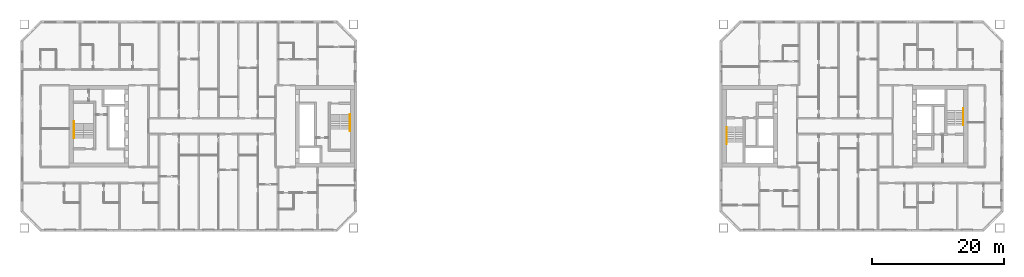
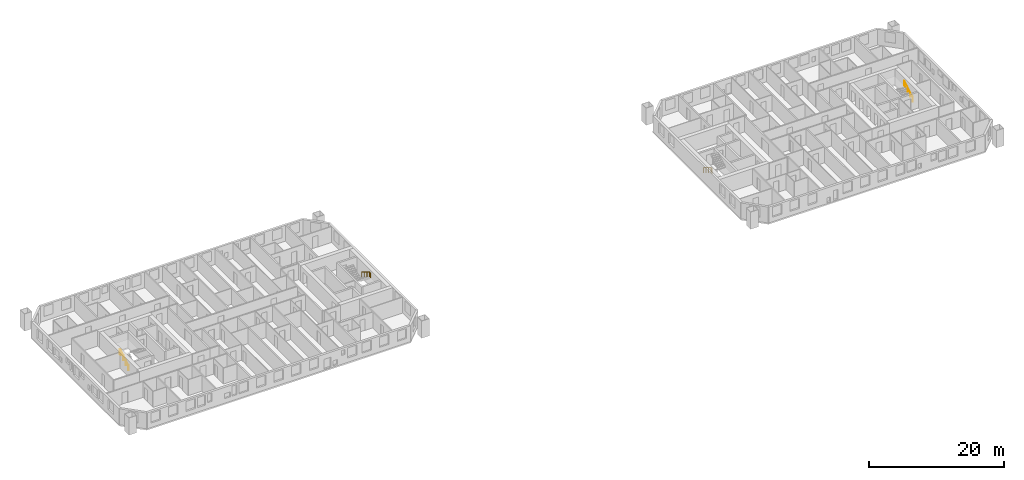
# One storey, part 17 of 17: 4 railings.
"""IFC4 building model written with IfcOpenShell, lengths in metres."""

from ifc_helpers import new_model, si_unit, direction, frame, origin, origin_2d, place, context, subcontext, project, spatial, circle, extrude, material, type_object, element, save


model = new_model("IFC4")

# Units and contexts
model_context = context("Model", 3, precision=1e-05, world=origin(), true_north=direction((0.0, 1.0)))
body_context = subcontext(model_context, "Body", "Model", "MODEL_VIEW")
ifc_project = project(units=[si_unit("LENGTHUNIT", "METRE"), si_unit("AREAUNIT", "SQUARE_METRE"), si_unit("VOLUMEUNIT", "CUBIC_METRE"), si_unit("PLANEANGLEUNIT", "RADIAN"), si_unit("MASSUNIT", "GRAM", prefix="KILO")], contexts=[model_context])

# Site, building, storey
site_placement = place(None, origin())
site = spatial("IfcSite", under=ifc_project, at=site_placement, CompositionType="ELEMENT")
building_placement = place(site_placement, origin())
building = spatial("IfcBuilding", under=site, at=building_placement, Name="Tuart Gate Housing", CompositionType="ELEMENT")
storey_placement = place(building_placement, frame((0.0, 0.0, 105.699951171875)))
storey = spatial("IfcBuildingStorey", under=building, at=storey_placement, Name="L29", CompositionType="ELEMENT", Elevation=105.699951171875)

# Railings
ifc_material = material(Name="Stainless steel", Category="steel")
railing_type = type_object("IfcRailingType", Name="Stair handrail 900", PredefinedType="HANDRAIL", material=ifc_material)
railing_1_placement = place(storey_placement, frame((74.929931640625, 71.800048828125, 0.17236328125)))
element("IfcRailing", 1, at=railing_1_placement, inside=storey, type_object=railing_type, Name="Stair handrail SA1.1", PredefinedType="HANDRAIL", context=body_context, shape_type="SweptSolid", body=[
    extrude(circle(Radius=0.02392578125, at=origin_2d()), frame((0.0, 0.0, 0.8759765625), z_axis=(0.0, -0.85178898068, 0.523885037382), x_axis=(1.0, 0.0, 0.0)), (0.0, 0.0, 1.0), 2.629638671875),
    extrude(circle(Radius=0.02392578125, at=origin_2d()), frame((0.0, -2.239990234375, 2.25341796875), z_axis=(0.0, -1.0, 0.0), x_axis=(1.0, 0.0, 0.0)), (0.0, 0.0, 1.0), 0.300048828125),
    extrude(circle(Radius=0.02099609375, at=origin_2d()), origin(), (0.0, 0.0, 1.0), 0.851806640625),
    extrude(circle(Radius=0.02099609375, at=origin_2d()), frame((0.0, -0.74658203125, 0.459228515625)), (0.0, 0.0, 1.0), 0.851806640625),
    extrude(circle(Radius=0.02099609375, at=origin_2d()), frame((0.0, -1.493408203125, 0.91845703125)), (0.0, 0.0, 1.0), 0.851806640625),
    extrude(circle(Radius=0.02099609375, at=origin_2d()), frame((0.0, -2.239990234375, 1.377685546875)), (0.0, 0.0, 1.0), 0.851806640625),
    extrude(circle(Radius=0.02099609375, at=origin_2d()), frame((0.0, -2.5400390625, 1.377685546875)), (0.0, 0.0, 1.0), 0.851806640625),
])
railing_2_placement = place(storey_placement, frame((33.070068359375, 68.199951171875, 0.17236328125)))
element("IfcRailing", 2, at=railing_2_placement, inside=storey, type_object=railing_type, Name="Stair handrail SA2.1", PredefinedType="HANDRAIL", context=body_context, shape_type="SweptSolid", body=[
    extrude(circle(Radius=0.02392578125, at=origin_2d()), frame((0.0, 0.0, 0.8759765625), z_axis=(0.0, 0.85178898068, 0.523885037382), x_axis=(-1.0, 0.0, 0.0)), (0.0, 0.0, 1.0), 2.629638671875),
    extrude(circle(Radius=0.02392578125, at=origin_2d()), frame((0.0, 2.239990234375, 2.25341796875), z_axis=(0.0, 1.0, 0.0), x_axis=(-1.0, 0.0, 0.0)), (0.0, 0.0, 1.0), 0.300048828125),
    extrude(circle(Radius=0.02099609375, at=origin_2d()), origin(), (0.0, 0.0, 1.0), 0.851806640625),
    extrude(circle(Radius=0.02099609375, at=origin_2d()), frame((0.0, 0.74658203125, 0.459228515625)), (0.0, 0.0, 1.0), 0.851806640625),
    extrude(circle(Radius=0.02099609375, at=origin_2d()), frame((0.0, 1.493408203125, 0.91845703125)), (0.0, 0.0, 1.0), 0.851806640625),
    extrude(circle(Radius=0.02099609375, at=origin_2d()), frame((0.0, 2.239990234375, 1.377685546875)), (0.0, 0.0, 1.0), 0.851806640625),
    extrude(circle(Radius=0.02099609375, at=origin_2d()), frame((0.0, 2.5400390625, 1.377685546875)), (0.0, 0.0, 1.0), 0.851806640625),
])
railing_3_placement = place(storey_placement, frame((132.070068359375, 69.85009765625, 0.17236328125)))
element("IfcRailing", 3, at=railing_3_placement, inside=storey, type_object=railing_type, Name="Stair handrail SB1.1", PredefinedType="HANDRAIL", context=body_context, shape_type="SweptSolid", body=[
    extrude(circle(Radius=0.02392578125, at=origin_2d()), frame((0.0, 0.0, 0.8759765625), z_axis=(0.0, -0.85178898068, 0.523885037382), x_axis=(1.0, 0.0, 0.0)), (0.0, 0.0, 1.0), 2.629638671875),
    extrude(circle(Radius=0.02392578125, at=origin_2d()), frame((0.0, -2.239990234375, 2.25341796875), z_axis=(0.0, -1.0, 0.0), x_axis=(1.0, 0.0, 0.0)), (0.0, 0.0, 1.0), 0.300048828125),
    extrude(circle(Radius=0.02099609375, at=origin_2d()), origin(), (0.0, 0.0, 1.0), 0.851806640625),
    extrude(circle(Radius=0.02099609375, at=origin_2d()), frame((0.0, -0.74658203125, 0.459228515625)), (0.0, 0.0, 1.0), 0.851806640625),
    extrude(circle(Radius=0.02099609375, at=origin_2d()), frame((0.0, -1.493408203125, 0.91845703125)), (0.0, 0.0, 1.0), 0.851806640625),
    extrude(circle(Radius=0.02099609375, at=origin_2d()), frame((0.0, -2.239990234375, 1.377685546875)), (0.0, 0.0, 1.0), 0.851806640625),
    extrude(circle(Radius=0.02099609375, at=origin_2d()), frame((0.0, -2.5400390625, 1.377685546875)), (0.0, 0.0, 1.0), 0.851806640625),
])
railing_4_placement = place(storey_placement, frame((167.929931640625, 70.14990234375, 0.17236328125)))
element("IfcRailing", 4, at=railing_4_placement, inside=storey, type_object=railing_type, Name="Stair handrail SB2.1", PredefinedType="HANDRAIL", context=body_context, shape_type="SweptSolid", body=[
    extrude(circle(Radius=0.02392578125, at=origin_2d()), frame((0.0, 0.0, 0.8759765625), z_axis=(0.0, 0.85178898068, 0.523885037382), x_axis=(-1.0, 0.0, 0.0)), (0.0, 0.0, 1.0), 2.629638671875),
    extrude(circle(Radius=0.02392578125, at=origin_2d()), frame((0.0, 2.239990234375, 2.25341796875), z_axis=(0.0, 1.0, 0.0), x_axis=(-1.0, 0.0, 0.0)), (0.0, 0.0, 1.0), 0.300048828125),
    extrude(circle(Radius=0.02099609375, at=origin_2d()), origin(), (0.0, 0.0, 1.0), 0.851806640625),
    extrude(circle(Radius=0.02099609375, at=origin_2d()), frame((0.0, 0.74658203125, 0.459228515625)), (0.0, 0.0, 1.0), 0.851806640625),
    extrude(circle(Radius=0.02099609375, at=origin_2d()), frame((0.0, 1.493408203125, 0.91845703125)), (0.0, 0.0, 1.0), 0.851806640625),
    extrude(circle(Radius=0.02099609375, at=origin_2d()), frame((0.0, 2.239990234375, 1.377685546875)), (0.0, 0.0, 1.0), 0.851806640625),
    extrude(circle(Radius=0.02099609375, at=origin_2d()), frame((0.0, 2.5400390625, 1.377685546875)), (0.0, 0.0, 1.0), 0.851806640625),
])

save(model, "model.ifc")
